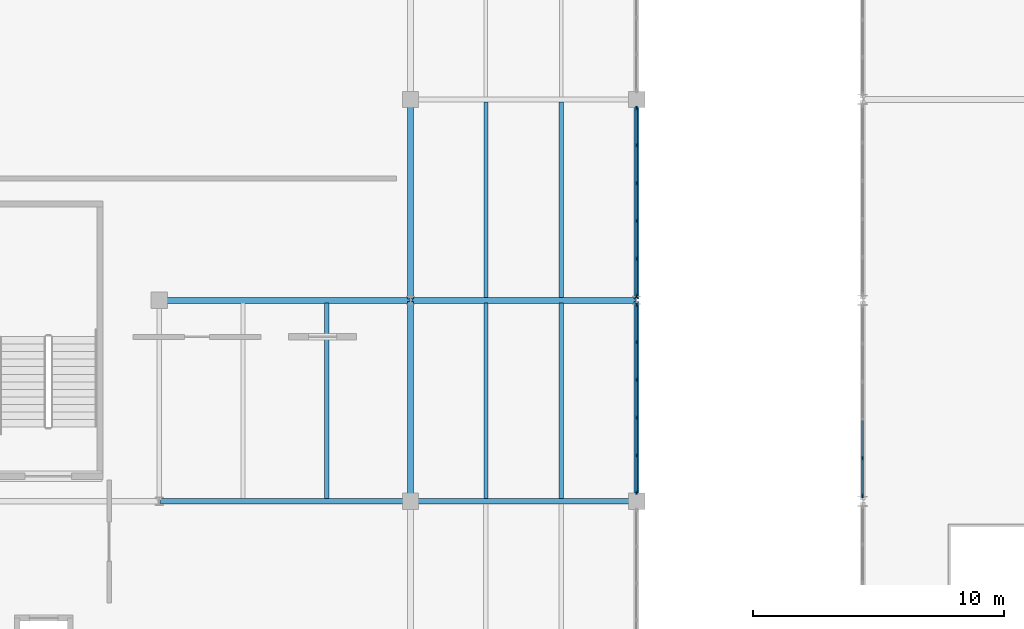
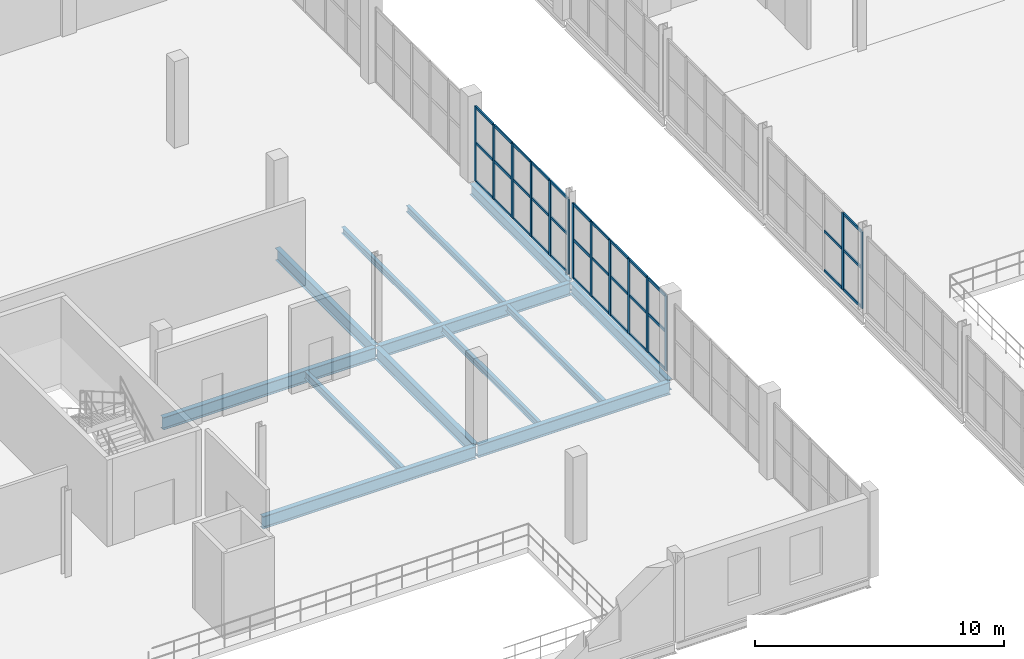
# One storey, part 20 of 85: 49 members, 13 beams, 3 elements without a shape of their own.
"""IFC4 building model written with IfcOpenShell, lengths in metres."""

from ifc_helpers import new_model, si_unit, direction, frame, origin, origin_2d, place, context, subcontext, project, spatial, rectangle, i_section, extrude, material, layer, layer_set, material_profile, profile_set, type_object, element, aggregate, save


model = new_model("IFC4")

# Units and contexts
model_context = context("Model", 3, precision=1e-05, world=origin(), true_north=direction((0.0, 1.0)))
body_context = subcontext(model_context, "Body", "Model", "MODEL_VIEW")
ifc_project = project(units=[si_unit("LENGTHUNIT", "METRE"), si_unit("AREAUNIT", "SQUARE_METRE"), si_unit("VOLUMEUNIT", "CUBIC_METRE"), si_unit("PLANEANGLEUNIT", "RADIAN"), si_unit("MASSUNIT", "GRAM", prefix="KILO")], contexts=[model_context])

# Site, building, storey
site_placement = place(None, origin())
site = spatial("IfcSite", under=ifc_project, at=site_placement, CompositionType="ELEMENT")
building_placement = place(site_placement, origin())
building = spatial("IfcBuilding", under=site, at=building_placement, Name="Marnock Terrace Opera House", CompositionType="ELEMENT")
storey_placement = place(building_placement, frame((0.0, 0.0, 10.199951171875)))
storey = spatial("IfcBuildingStorey", under=building, at=storey_placement, Name="L02", CompositionType="ELEMENT", Elevation=10.199951171875)

# Beams
ifc_material_1 = material(Name="Steel Grade 350 (AS/NZS 3679.1)", Category="steel")
ifc_material_profile_1 = material_profile(ifc_material_1, i_section(OverallWidth=0.208984375, OverallDepth=0.528076171875, WebThickness=0.009521484375, FlangeThickness=0.01318359375, FilletRadius=0.013916015625, at=origin_2d()))
ifc_profile_set_1 = profile_set([ifc_material_profile_1], Name="Steel Grade 350 (AS/NZS 3679.1)")
beam_type_1 = type_object("IfcBeamType", Name="BM-GIRD-530B", PredefinedType="BEAM", material=ifc_profile_set_1)
for number, where, z_axis, x_axis, name in (
    (1, (46.0, 24.050048828125, -0.52392578125), (0.0, 1.0, 0.0), (-1.0, 0.0, 0.0), "L02 girder (X=46.0, 24.0..32.0)"),
    (2, (46.0, 32.050048828125, -0.52392578125), (0.0, 1.0, 0.0), (-1.0, 0.0, 0.0), "L02 girder (X=46.0, 32.0..40.0)"),
):
    element("IfcBeam", number, at=place(storey_placement, frame(where, z_axis=z_axis, x_axis=x_axis)), inside=storey, type_object=beam_type_1, Name=name, PredefinedType="BEAM", context=body_context, shape_type="SweptSolid", body=[
        extrude(i_section(OverallWidth=0.208984375, OverallDepth=0.528076171875, WebThickness=0.009521484375, FlangeThickness=0.01318359375, FilletRadius=0.013916015625, at=origin_2d()), origin(), (0.0, 0.0, 1.0), 7.89990234375),
    ])
ifc_material_profile_2 = material_profile(ifc_material_1, i_section(OverallWidth=0.22900390625, OverallDepth=0.611572265625, WebThickness=0.011962890625, FlangeThickness=0.01953125, FilletRadius=0.013916015625, at=origin_2d()))
ifc_profile_set_2 = profile_set([ifc_material_profile_2], Name="Steel Grade 350 (AS/NZS 3679.1)")
beam_type_2 = type_object("IfcBeamType", Name="BM-GIRD-610A", PredefinedType="BEAM", material=ifc_profile_set_2)
beam_1_placement = place(storey_placement, frame((27.050048828125, 24.0, -0.565673828125), z_axis=(1.0, 0.0, 0.0), x_axis=(0.0, 1.0, 0.0)))
element("IfcBeam", 3, at=beam_1_placement, inside=storey, type_object=beam_type_2, Name="L02 girder (27.0..37.0, Y=24.0)", PredefinedType="BEAM", context=body_context, shape_type="SweptSolid", body=[
    extrude(i_section(OverallWidth=0.22900390625, OverallDepth=0.611572265625, WebThickness=0.011962890625, FlangeThickness=0.01953125, FilletRadius=0.013916015625, at=origin_2d()), origin(), (0.0, 0.0, 1.0), 9.89990234375),
])
beam_2_placement = place(storey_placement, frame((37.050048828125, 24.0, -0.565673828125), z_axis=(1.0, 0.0, 0.0), x_axis=(0.0, 1.0, 0.0)))
element("IfcBeam", 4, at=beam_2_placement, inside=storey, type_object=beam_type_2, Name="L02 girder (37.0..46.0, Y=24.0)", PredefinedType="BEAM", context=body_context, shape_type="SweptSolid", body=[
    extrude(i_section(OverallWidth=0.22900390625, OverallDepth=0.611572265625, WebThickness=0.011962890625, FlangeThickness=0.01953125, FilletRadius=0.013916015625, at=origin_2d()), origin(), (0.0, 0.0, 1.0), 8.89990234375),
])
ifc_material_profile_3 = material_profile(ifc_material_1, i_section(OverallWidth=0.22802734375, OverallDepth=0.60693359375, WebThickness=0.01123046875, FlangeThickness=0.017333984375, FilletRadius=0.013916015625, at=origin_2d()))
ifc_profile_set_3 = profile_set([ifc_material_profile_3], Name="Steel Grade 350 (AS/NZS 3679.1)")
beam_type_3 = type_object("IfcBeamType", Name="BM-GIRD-610B", PredefinedType="BEAM", material=ifc_profile_set_3)
beam_3_placement = place(storey_placement, frame((27.050048828125, 32.0, -0.5634765625), z_axis=(1.0, 0.0, 0.0), x_axis=(0.0, 1.0, 0.0)))
element("IfcBeam", 5, at=beam_3_placement, inside=storey, type_object=beam_type_3, Name="L02 girder (27.0..37.0, Y=32.0)", PredefinedType="BEAM", context=body_context, shape_type="SweptSolid", body=[
    extrude(i_section(OverallWidth=0.22802734375, OverallDepth=0.60693359375, WebThickness=0.01123046875, FlangeThickness=0.017333984375, FilletRadius=0.013916015625, at=origin_2d()), origin(), (0.0, 0.0, 1.0), 9.89990234375),
])
beam_4_placement = place(storey_placement, frame((37.050048828125, 32.0, -0.5634765625), z_axis=(1.0, 0.0, 0.0), x_axis=(0.0, 1.0, 0.0)))
element("IfcBeam", 6, at=beam_4_placement, inside=storey, type_object=beam_type_3, Name="L02 girder (37.0..46.0, Y=32.0)", PredefinedType="BEAM", context=body_context, shape_type="SweptSolid", body=[
    extrude(i_section(OverallWidth=0.22802734375, OverallDepth=0.60693359375, WebThickness=0.01123046875, FlangeThickness=0.017333984375, FilletRadius=0.013916015625, at=origin_2d()), origin(), (0.0, 0.0, 1.0), 8.89990234375),
])
ifc_material_profile_4 = material_profile(ifc_material_1, i_section(OverallWidth=0.22802734375, OverallDepth=0.60205078125, WebThickness=0.010498046875, FlangeThickness=0.014892578125, FilletRadius=0.013916015625, at=origin_2d()))
ifc_profile_set_4 = profile_set([ifc_material_profile_4], Name="Steel Grade 350 (AS/NZS 3679.1)")
beam_type_4 = type_object("IfcBeamType", Name="BM-GIRD-610C", PredefinedType="BEAM", material=ifc_profile_set_4)
for number, where, z_axis, x_axis, name in (
    (7, (37.0, 24.050048828125, -0.56103515625), (0.0, 1.0, 0.0), (-1.0, 0.0, 0.0), "L02 girder (X=37.0, 24.0..32.0)"),
    (8, (37.0, 32.050048828125, -0.56103515625), (0.0, 1.0, 0.0), (-1.0, 0.0, 0.0), "L02 girder (X=37.0, 32.0..40.0)"),
):
    element("IfcBeam", number, at=place(storey_placement, frame(where, z_axis=z_axis, x_axis=x_axis)), inside=storey, type_object=beam_type_4, Name=name, PredefinedType="BEAM", context=body_context, shape_type="SweptSolid", body=[
        extrude(i_section(OverallWidth=0.22802734375, OverallDepth=0.60205078125, WebThickness=0.010498046875, FlangeThickness=0.014892578125, FilletRadius=0.013916015625, at=origin_2d()), origin(), (0.0, 0.0, 1.0), 7.89990234375),
    ])
ifc_material_profile_5 = material_profile(ifc_material_1, i_section(OverallWidth=0.166015625, OverallDepth=0.30712890625, WebThickness=0.006591796875, FlangeThickness=0.01171875, FilletRadius=0.011474609375, at=origin_2d()))
ifc_profile_set_5 = profile_set([ifc_material_profile_5], Name="Steel Grade 350 (AS/NZS 3679.1)")
beam_type_5 = type_object("IfcBeamType", Name="BM-JOIST-310A", PredefinedType="JOIST", material=ifc_profile_set_5)
for number, where, z_axis, x_axis, name in (
    (9, (40.0, 24.109619140625, -0.41357421875), (0.0, 1.0, 0.0), (-1.0, 0.0, 0.0), "L02 secondary joist 4.3.1"),
    (10, (43.0, 24.109619140625, -0.41357421875), (0.0, 1.0, 0.0), (-1.0, 0.0, 0.0), "L02 secondary joist 4.3.2"),
):
    element("IfcBeam", number, at=place(storey_placement, frame(where, z_axis=z_axis, x_axis=x_axis)), inside=storey, type_object=beam_type_5, Name=name, PredefinedType="JOIST", context=body_context, shape_type="SweptSolid", body=[
        extrude(i_section(OverallWidth=0.166015625, OverallDepth=0.30712890625, WebThickness=0.006591796875, FlangeThickness=0.01171875, FilletRadius=0.011474609375, at=origin_2d()), origin(), (0.0, 0.0, 1.0), 7.781494140625),
    ])
ifc_material_profile_6 = material_profile(ifc_material_1, i_section(OverallWidth=0.1650390625, OverallDepth=0.3037109375, WebThickness=0.006103515625, FlangeThickness=0.01025390625, FilletRadius=0.011474609375, at=origin_2d()))
ifc_profile_set_6 = profile_set([ifc_material_profile_6], Name="Steel Grade 350 (AS/NZS 3679.1)")
beam_type_6 = type_object("IfcBeamType", Name="BM-JOIST-310B", PredefinedType="JOIST", material=ifc_profile_set_6)
for number, where, z_axis, x_axis, name in (
    (11, (40.0, 32.10888671875, -0.411865234375), (0.0, 1.0, 0.0), (-1.0, 0.0, 0.0), "L02 secondary joist 4.4.1"),
    (12, (43.0, 32.10888671875, -0.411865234375), (0.0, 1.0, 0.0), (-1.0, 0.0, 0.0), "L02 secondary joist 4.4.2"),
):
    element("IfcBeam", number, at=place(storey_placement, frame(where, z_axis=z_axis, x_axis=x_axis)), inside=storey, type_object=beam_type_6, Name=name, PredefinedType="JOIST", context=body_context, shape_type="SweptSolid", body=[
        extrude(i_section(OverallWidth=0.1650390625, OverallDepth=0.3037109375, WebThickness=0.006103515625, FlangeThickness=0.01025390625, FilletRadius=0.011474609375, at=origin_2d()), origin(), (0.0, 0.0, 1.0), 7.79150390625),
    ])
ifc_material_profile_7 = material_profile(ifc_material_1, i_section(OverallWidth=0.172119140625, OverallDepth=0.358642578125, WebThickness=0.008056640625, FlangeThickness=0.012939453125, FilletRadius=0.011474609375, at=origin_2d()))
ifc_profile_set_7 = profile_set([ifc_material_profile_7], Name="Steel Grade 350 (AS/NZS 3679.1)")
beam_type_7 = type_object("IfcBeamType", Name="BM-JOIST-360", PredefinedType="JOIST", material=ifc_profile_set_7)
beam_5_placement = place(storey_placement, frame((33.666748046875, 24.109619140625, -0.439208984375), z_axis=(0.0, 1.0, 0.0), x_axis=(-1.0, 0.0, 0.0)))
element("IfcBeam", 13, at=beam_5_placement, inside=storey, type_object=beam_type_7, Name="L02 secondary joist 3.3.2", PredefinedType="JOIST", context=body_context, shape_type="SweptSolid", body=[
    extrude(i_section(OverallWidth=0.172119140625, OverallDepth=0.358642578125, WebThickness=0.008056640625, FlangeThickness=0.012939453125, FilletRadius=0.011474609375, at=origin_2d()), origin(), (0.0, 0.0, 1.0), 7.781494140625),
])

# Curtain wall, members
ifc_material_2 = material(Name="Anodised architectural bronze aluminium framing", Category="aluminium")
ifc_layer_1 = layer(ifc_material_2, 0.159912109375)
ifc_layer_set_1 = layer_set([ifc_layer_1], Name="Anodised architectural bronze aluminium framing")
curtain_wall_type_1 = type_object("IfcCurtainWallType", Name="CW-FOYER-80x42", PredefinedType="NOTDEFINED", material=ifc_layer_set_1)
curtain_wall_1_placement = place(storey_placement, origin())
curtain_wall_1 = element("IfcCurtainWall", 14, at=curtain_wall_1_placement, inside=storey, type_object=curtain_wall_type_1, Name="L02 glazed Beaux-Arts colonnade curtain wall CW-V1W-L02-03", PredefinedType="NOTDEFINED")
ifc_material_profile_8 = material_profile(ifc_material_2, rectangle(XDim=0.06005859375, YDim=0.14990234375, at=origin_2d()))
ifc_profile_set_8 = profile_set([ifc_material_profile_8], Name="Anodised architectural bronze aluminium framing")
member_type_1 = type_object("IfcMemberType", Name="CWM-60x150", PredefinedType="MULLION", material=ifc_profile_set_8)
member_1_placement = place(storey_placement, frame((55.0, 24.22607421875, 0.0), z_axis=(0.0, 0.0, 1.0), x_axis=(-1.0, 0.0, 0.0)))
member_1 = element("IfcMember", 15, at=member_1_placement, type_object=member_type_1, Name="CW-62 mullion 1", PredefinedType="MULLION", context=body_context, shape_type="SweptSolid", body=[
    extrude(rectangle(XDim=0.06005859375, YDim=0.14990234375, at=origin_2d()), origin(), (0.0, 0.0, 1.0), 3.752685546875),
])
member_2_placement = place(storey_placement, frame((55.0, 25.717529296875, 0.0), z_axis=(0.0, 0.0, 1.0), x_axis=(-1.0, 0.0, 0.0)))
member_2 = element("IfcMember", 16, at=member_2_placement, type_object=member_type_1, Name="CW-62 mullion 2", PredefinedType="MULLION", context=body_context, shape_type="SweptSolid", body=[
    extrude(rectangle(XDim=0.06005859375, YDim=0.14990234375, at=origin_2d()), origin(), (0.0, 0.0, 1.0), 3.752685546875),
])

ifc_layer_2 = layer(ifc_material_2, 0.159912109375)
ifc_layer_set_2 = layer_set([ifc_layer_2], Name="Anodised architectural bronze aluminium framing")
curtain_wall_type_2 = type_object("IfcCurtainWallType", Name="CW-COURT-80x42", PredefinedType="NOTDEFINED", material=ifc_layer_set_2)
curtain_wall_2_placement = place(storey_placement, origin())
curtain_wall_2 = element("IfcCurtainWall", 17, at=curtain_wall_2_placement, inside=storey, type_object=curtain_wall_type_2, Name="L02 glazed Beaux-Arts colonnade curtain wall CW-V3E-L02-03", PredefinedType="NOTDEFINED")
member_3_placement = place(storey_placement, frame((46.0, 24.35107421875, 0.0), z_axis=(0.0, 0.0, 1.0), x_axis=(-1.0, 0.0, 0.0)))
member_3 = element("IfcMember", 18, at=member_3_placement, type_object=member_type_1, Name="CW-12 mullion 1", PredefinedType="MULLION", context=body_context, shape_type="SweptSolid", body=[
    extrude(rectangle(XDim=0.06005859375, YDim=0.14990234375, at=origin_2d()), origin(), (0.0, 0.0, 1.0), 3.68212890625),
])
member_4_placement = place(storey_placement, frame((46.0, 25.826171875, 0.0), z_axis=(0.0, 0.0, 1.0), x_axis=(-1.0, 0.0, 0.0)))
member_4 = element("IfcMember", 19, at=member_4_placement, type_object=member_type_1, Name="CW-12 mullion 2", PredefinedType="MULLION", context=body_context, shape_type="SweptSolid", body=[
    extrude(rectangle(XDim=0.06005859375, YDim=0.14990234375, at=origin_2d()), origin(), (0.0, 0.0, 1.0), 3.68212890625),
])
member_5_placement = place(storey_placement, frame((46.0, 27.331298828125, 0.0), z_axis=(0.0, 0.0, 1.0), x_axis=(-1.0, 0.0, 0.0)))
member_5 = element("IfcMember", 20, at=member_5_placement, type_object=member_type_1, Name="CW-12 mullion 3", PredefinedType="MULLION", context=body_context, shape_type="SweptSolid", body=[
    extrude(rectangle(XDim=0.06005859375, YDim=0.14990234375, at=origin_2d()), origin(), (0.0, 0.0, 1.0), 3.68212890625),
])
member_6_placement = place(storey_placement, frame((46.0, 28.83642578125, 0.0), z_axis=(0.0, 0.0, 1.0), x_axis=(-1.0, 0.0, 0.0)))
member_6 = element("IfcMember", 21, at=member_6_placement, type_object=member_type_1, Name="CW-12 mullion 4", PredefinedType="MULLION", context=body_context, shape_type="SweptSolid", body=[
    extrude(rectangle(XDim=0.06005859375, YDim=0.14990234375, at=origin_2d()), origin(), (0.0, 0.0, 1.0), 3.68212890625),
])
member_7_placement = place(storey_placement, frame((46.0, 30.341552734375, 0.0), z_axis=(0.0, 0.0, 1.0), x_axis=(-1.0, 0.0, 0.0)))
member_7 = element("IfcMember", 22, at=member_7_placement, type_object=member_type_1, Name="CW-12 mullion 5", PredefinedType="MULLION", context=body_context, shape_type="SweptSolid", body=[
    extrude(rectangle(XDim=0.06005859375, YDim=0.14990234375, at=origin_2d()), origin(), (0.0, 0.0, 1.0), 3.68212890625),
])
member_8_placement = place(storey_placement, frame((46.0, 31.816650390625, 0.0), z_axis=(0.0, 0.0, 1.0), x_axis=(-1.0, 0.0, 0.0)))
member_8 = element("IfcMember", 23, at=member_8_placement, type_object=member_type_1, Name="CW-12 mullion 6", PredefinedType="MULLION", context=body_context, shape_type="SweptSolid", body=[
    extrude(rectangle(XDim=0.06005859375, YDim=0.14990234375, at=origin_2d()), origin(), (0.0, 0.0, 1.0), 3.68212890625),
])

curtain_wall_3_placement = place(storey_placement, origin())
curtain_wall_3 = element("IfcCurtainWall", 24, at=curtain_wall_3_placement, inside=storey, type_object=curtain_wall_type_2, Name="L02 glazed Beaux-Arts colonnade curtain wall CW-V3E-L02-04", PredefinedType="NOTDEFINED")
member_9_placement = place(storey_placement, frame((46.0, 32.183349609375, 0.0), z_axis=(0.0, 0.0, 1.0), x_axis=(-1.0, 0.0, 0.0)))
member_9 = element("IfcMember", 25, at=member_9_placement, type_object=member_type_1, Name="CW-12 mullion 1", PredefinedType="MULLION", context=body_context, shape_type="SweptSolid", body=[
    extrude(rectangle(XDim=0.06005859375, YDim=0.14990234375, at=origin_2d()), origin(), (0.0, 0.0, 1.0), 3.68212890625),
])
member_10_placement = place(storey_placement, frame((46.0, 33.658447265625, 0.0), z_axis=(0.0, 0.0, 1.0), x_axis=(-1.0, 0.0, 0.0)))
member_10 = element("IfcMember", 26, at=member_10_placement, type_object=member_type_1, Name="CW-12 mullion 2", PredefinedType="MULLION", context=body_context, shape_type="SweptSolid", body=[
    extrude(rectangle(XDim=0.06005859375, YDim=0.14990234375, at=origin_2d()), origin(), (0.0, 0.0, 1.0), 3.68212890625),
])
member_11_placement = place(storey_placement, frame((46.0, 35.16357421875, 0.0), z_axis=(0.0, 0.0, 1.0), x_axis=(-1.0, 0.0, 0.0)))
member_11 = element("IfcMember", 27, at=member_11_placement, type_object=member_type_1, Name="CW-12 mullion 3", PredefinedType="MULLION", context=body_context, shape_type="SweptSolid", body=[
    extrude(rectangle(XDim=0.06005859375, YDim=0.14990234375, at=origin_2d()), origin(), (0.0, 0.0, 1.0), 3.68212890625),
])
member_12_placement = place(storey_placement, frame((46.0, 36.668701171875, 0.0), z_axis=(0.0, 0.0, 1.0), x_axis=(-1.0, 0.0, 0.0)))
member_12 = element("IfcMember", 28, at=member_12_placement, type_object=member_type_1, Name="CW-12 mullion 4", PredefinedType="MULLION", context=body_context, shape_type="SweptSolid", body=[
    extrude(rectangle(XDim=0.06005859375, YDim=0.14990234375, at=origin_2d()), origin(), (0.0, 0.0, 1.0), 3.68212890625),
])
member_13_placement = place(storey_placement, frame((46.0, 38.173828125, 0.0), z_axis=(0.0, 0.0, 1.0), x_axis=(-1.0, 0.0, 0.0)))
member_13 = element("IfcMember", 29, at=member_13_placement, type_object=member_type_1, Name="CW-12 mullion 5", PredefinedType="MULLION", context=body_context, shape_type="SweptSolid", body=[
    extrude(rectangle(XDim=0.06005859375, YDim=0.14990234375, at=origin_2d()), origin(), (0.0, 0.0, 1.0), 3.68212890625),
])
member_14_placement = place(storey_placement, frame((46.0, 39.64892578125, 0.0), z_axis=(0.0, 0.0, 1.0), x_axis=(-1.0, 0.0, 0.0)))
member_14 = element("IfcMember", 30, at=member_14_placement, type_object=member_type_1, Name="CW-12 mullion 6", PredefinedType="MULLION", context=body_context, shape_type="SweptSolid", body=[
    extrude(rectangle(XDim=0.06005859375, YDim=0.14990234375, at=origin_2d()), origin(), (0.0, 0.0, 1.0), 3.68212890625),
])

# Member
ifc_material_profile_9 = material_profile(ifc_material_2, rectangle(XDim=0.06005859375, YDim=0.1298828125, at=origin_2d()))
ifc_profile_set_9 = profile_set([ifc_material_profile_9], Name="Anodised architectural bronze aluminium framing")
member_type_2 = type_object("IfcMemberType", Name="CWT-60x130", PredefinedType="USERDEFINED", material=ifc_profile_set_9)
member_15_placement = place(storey_placement, frame((55.0, 24.256103515625, 0.030029296875), z_axis=(0.0, 1.0, 0.0), x_axis=(-1.0, 0.0, 0.0)))
member_15 = element("IfcMember", 31, at=member_15_placement, type_object=member_type_2, Name="CW-62 transom 1.1", ObjectType="TRANSOM", PredefinedType="USERDEFINED", context=body_context, shape_type="SweptSolid", body=[
    extrude(rectangle(XDim=0.06005859375, YDim=0.1298828125, at=origin_2d()), origin(), (0.0, 0.0, 1.0), 1.431396484375),
])

member_16_placement = place(storey_placement, frame((55.0, 24.256103515625, 1.951416015625), z_axis=(0.0, 1.0, 0.0), x_axis=(-1.0, 0.0, 0.0)))
member_16 = element("IfcMember", 32, at=member_16_placement, type_object=member_type_2, Name="CW-62 transom 1.2", ObjectType="TRANSOM", PredefinedType="USERDEFINED", context=body_context, shape_type="SweptSolid", body=[
    extrude(rectangle(XDim=0.06005859375, YDim=0.1298828125, at=origin_2d()), origin(), (0.0, 0.0, 1.0), 1.431396484375),
])

member_17_placement = place(storey_placement, frame((55.0, 24.256103515625, 3.72265625), z_axis=(0.0, 1.0, 0.0), x_axis=(-1.0, 0.0, 0.0)))
member_17 = element("IfcMember", 33, at=member_17_placement, type_object=member_type_2, Name="CW-62 transom 1.3", ObjectType="TRANSOM", PredefinedType="USERDEFINED", context=body_context, shape_type="SweptSolid", body=[
    extrude(rectangle(XDim=0.06005859375, YDim=0.1298828125, at=origin_2d()), origin(), (0.0, 0.0, 1.0), 1.431396484375),
])

member_18_placement = place(storey_placement, frame((55.0, 25.74755859375, 0.030029296875), z_axis=(0.0, 1.0, 0.0), x_axis=(-1.0, 0.0, 0.0)))
member_18 = element("IfcMember", 34, at=member_18_placement, type_object=member_type_2, Name="CW-62 transom 2.1", ObjectType="TRANSOM", PredefinedType="USERDEFINED", context=body_context, shape_type="SweptSolid", body=[
    extrude(rectangle(XDim=0.06005859375, YDim=0.1298828125, at=origin_2d()), origin(), (0.0, 0.0, 1.0), 1.461669921875),
])

member_19_placement = place(storey_placement, frame((55.0, 25.74755859375, 1.951416015625), z_axis=(0.0, 1.0, 0.0), x_axis=(-1.0, 0.0, 0.0)))
member_19 = element("IfcMember", 35, at=member_19_placement, type_object=member_type_2, Name="CW-62 transom 2.2", ObjectType="TRANSOM", PredefinedType="USERDEFINED", context=body_context, shape_type="SweptSolid", body=[
    extrude(rectangle(XDim=0.06005859375, YDim=0.1298828125, at=origin_2d()), origin(), (0.0, 0.0, 1.0), 1.461669921875),
])

aggregate(curtain_wall_1, [member_1, member_2, member_15, member_16, member_17, member_18, member_19])

member_20_placement = place(storey_placement, frame((46.0, 24.381103515625, 0.030029296875), z_axis=(0.0, 1.0, 0.0), x_axis=(-1.0, 0.0, 0.0)))
member_20 = element("IfcMember", 36, at=member_20_placement, type_object=member_type_2, Name="CW-12 transom 1.1", ObjectType="TRANSOM", PredefinedType="USERDEFINED", context=body_context, shape_type="SweptSolid", body=[
    extrude(rectangle(XDim=0.06005859375, YDim=0.1298828125, at=origin_2d()), origin(), (0.0, 0.0, 1.0), 1.4150390625),
])

member_21_placement = place(storey_placement, frame((46.0, 24.381103515625, 1.91455078125), z_axis=(0.0, 1.0, 0.0), x_axis=(-1.0, 0.0, 0.0)))
member_21 = element("IfcMember", 37, at=member_21_placement, type_object=member_type_2, Name="CW-12 transom 1.2", ObjectType="TRANSOM", PredefinedType="USERDEFINED", context=body_context, shape_type="SweptSolid", body=[
    extrude(rectangle(XDim=0.06005859375, YDim=0.1298828125, at=origin_2d()), origin(), (0.0, 0.0, 1.0), 1.4150390625),
])

member_22_placement = place(storey_placement, frame((46.0, 24.381103515625, 3.652099609375), z_axis=(0.0, 1.0, 0.0), x_axis=(-1.0, 0.0, 0.0)))
member_22 = element("IfcMember", 38, at=member_22_placement, type_object=member_type_2, Name="CW-12 transom 1.3", ObjectType="TRANSOM", PredefinedType="USERDEFINED", context=body_context, shape_type="SweptSolid", body=[
    extrude(rectangle(XDim=0.06005859375, YDim=0.1298828125, at=origin_2d()), origin(), (0.0, 0.0, 1.0), 1.4150390625),
])

member_23_placement = place(storey_placement, frame((46.0, 25.856201171875, 0.030029296875), z_axis=(0.0, 1.0, 0.0), x_axis=(-1.0, 0.0, 0.0)))
member_23 = element("IfcMember", 39, at=member_23_placement, type_object=member_type_2, Name="CW-12 transom 2.1", ObjectType="TRANSOM", PredefinedType="USERDEFINED", context=body_context, shape_type="SweptSolid", body=[
    extrude(rectangle(XDim=0.06005859375, YDim=0.1298828125, at=origin_2d()), origin(), (0.0, 0.0, 1.0), 1.445068359375),
])

member_24_placement = place(storey_placement, frame((46.0, 25.856201171875, 1.91455078125), z_axis=(0.0, 1.0, 0.0), x_axis=(-1.0, 0.0, 0.0)))
member_24 = element("IfcMember", 40, at=member_24_placement, type_object=member_type_2, Name="CW-12 transom 2.2", ObjectType="TRANSOM", PredefinedType="USERDEFINED", context=body_context, shape_type="SweptSolid", body=[
    extrude(rectangle(XDim=0.06005859375, YDim=0.1298828125, at=origin_2d()), origin(), (0.0, 0.0, 1.0), 1.445068359375),
])

member_25_placement = place(storey_placement, frame((46.0, 25.856201171875, 3.652099609375), z_axis=(0.0, 1.0, 0.0), x_axis=(-1.0, 0.0, 0.0)))
member_25 = element("IfcMember", 41, at=member_25_placement, type_object=member_type_2, Name="CW-12 transom 2.3", ObjectType="TRANSOM", PredefinedType="USERDEFINED", context=body_context, shape_type="SweptSolid", body=[
    extrude(rectangle(XDim=0.06005859375, YDim=0.1298828125, at=origin_2d()), origin(), (0.0, 0.0, 1.0), 1.445068359375),
])

member_26_placement = place(storey_placement, frame((46.0, 27.361328125, 0.030029296875), z_axis=(0.0, 1.0, 0.0), x_axis=(-1.0, 0.0, 0.0)))
member_26 = element("IfcMember", 42, at=member_26_placement, type_object=member_type_2, Name="CW-12 transom 3.1", ObjectType="TRANSOM", PredefinedType="USERDEFINED", context=body_context, shape_type="SweptSolid", body=[
    extrude(rectangle(XDim=0.06005859375, YDim=0.1298828125, at=origin_2d()), origin(), (0.0, 0.0, 1.0), 1.445068359375),
])

member_27_placement = place(storey_placement, frame((46.0, 27.361328125, 1.91455078125), z_axis=(0.0, 1.0, 0.0), x_axis=(-1.0, 0.0, 0.0)))
member_27 = element("IfcMember", 43, at=member_27_placement, type_object=member_type_2, Name="CW-12 transom 3.2", ObjectType="TRANSOM", PredefinedType="USERDEFINED", context=body_context, shape_type="SweptSolid", body=[
    extrude(rectangle(XDim=0.06005859375, YDim=0.1298828125, at=origin_2d()), origin(), (0.0, 0.0, 1.0), 1.445068359375),
])

member_28_placement = place(storey_placement, frame((46.0, 27.361328125, 3.652099609375), z_axis=(0.0, 1.0, 0.0), x_axis=(-1.0, 0.0, 0.0)))
member_28 = element("IfcMember", 44, at=member_28_placement, type_object=member_type_2, Name="CW-12 transom 3.3", ObjectType="TRANSOM", PredefinedType="USERDEFINED", context=body_context, shape_type="SweptSolid", body=[
    extrude(rectangle(XDim=0.06005859375, YDim=0.1298828125, at=origin_2d()), origin(), (0.0, 0.0, 1.0), 1.445068359375),
])

member_29_placement = place(storey_placement, frame((46.0, 28.866455078125, 0.030029296875), z_axis=(0.0, 1.0, 0.0), x_axis=(-1.0, 0.0, 0.0)))
member_29 = element("IfcMember", 45, at=member_29_placement, type_object=member_type_2, Name="CW-12 transom 4.1", ObjectType="TRANSOM", PredefinedType="USERDEFINED", context=body_context, shape_type="SweptSolid", body=[
    extrude(rectangle(XDim=0.06005859375, YDim=0.1298828125, at=origin_2d()), origin(), (0.0, 0.0, 1.0), 1.445068359375),
])

member_30_placement = place(storey_placement, frame((46.0, 28.866455078125, 1.91455078125), z_axis=(0.0, 1.0, 0.0), x_axis=(-1.0, 0.0, 0.0)))
member_30 = element("IfcMember", 46, at=member_30_placement, type_object=member_type_2, Name="CW-12 transom 4.2", ObjectType="TRANSOM", PredefinedType="USERDEFINED", context=body_context, shape_type="SweptSolid", body=[
    extrude(rectangle(XDim=0.06005859375, YDim=0.1298828125, at=origin_2d()), origin(), (0.0, 0.0, 1.0), 1.445068359375),
])

member_31_placement = place(storey_placement, frame((46.0, 28.866455078125, 3.652099609375), z_axis=(0.0, 1.0, 0.0), x_axis=(-1.0, 0.0, 0.0)))
member_31 = element("IfcMember", 47, at=member_31_placement, type_object=member_type_2, Name="CW-12 transom 4.3", ObjectType="TRANSOM", PredefinedType="USERDEFINED", context=body_context, shape_type="SweptSolid", body=[
    extrude(rectangle(XDim=0.06005859375, YDim=0.1298828125, at=origin_2d()), origin(), (0.0, 0.0, 1.0), 1.445068359375),
])

member_32_placement = place(storey_placement, frame((46.0, 30.37158203125, 0.030029296875), z_axis=(0.0, 1.0, 0.0), x_axis=(-1.0, 0.0, 0.0)))
member_32 = element("IfcMember", 48, at=member_32_placement, type_object=member_type_2, Name="CW-12 transom 5.1", ObjectType="TRANSOM", PredefinedType="USERDEFINED", context=body_context, shape_type="SweptSolid", body=[
    extrude(rectangle(XDim=0.06005859375, YDim=0.1298828125, at=origin_2d()), origin(), (0.0, 0.0, 1.0), 1.4150390625),
])

member_33_placement = place(storey_placement, frame((46.0, 30.37158203125, 1.91455078125), z_axis=(0.0, 1.0, 0.0), x_axis=(-1.0, 0.0, 0.0)))
member_33 = element("IfcMember", 49, at=member_33_placement, type_object=member_type_2, Name="CW-12 transom 5.2", ObjectType="TRANSOM", PredefinedType="USERDEFINED", context=body_context, shape_type="SweptSolid", body=[
    extrude(rectangle(XDim=0.06005859375, YDim=0.1298828125, at=origin_2d()), origin(), (0.0, 0.0, 1.0), 1.4150390625),
])

member_34_placement = place(storey_placement, frame((46.0, 30.37158203125, 3.652099609375), z_axis=(0.0, 1.0, 0.0), x_axis=(-1.0, 0.0, 0.0)))
member_34 = element("IfcMember", 50, at=member_34_placement, type_object=member_type_2, Name="CW-12 transom 5.3", ObjectType="TRANSOM", PredefinedType="USERDEFINED", context=body_context, shape_type="SweptSolid", body=[
    extrude(rectangle(XDim=0.06005859375, YDim=0.1298828125, at=origin_2d()), origin(), (0.0, 0.0, 1.0), 1.4150390625),
])

aggregate(curtain_wall_2, [member_3, member_4, member_5, member_6, member_7, member_8, member_20, member_21, member_22, member_23, member_24, member_25, member_26, member_27, member_28, member_29, member_30, member_31, member_32, member_33, member_34])

member_35_placement = place(storey_placement, frame((46.0, 32.21337890625, 0.030029296875), z_axis=(0.0, 1.0, 0.0), x_axis=(-1.0, 0.0, 0.0)))
member_35 = element("IfcMember", 51, at=member_35_placement, type_object=member_type_2, Name="CW-12 transom 1.1", ObjectType="TRANSOM", PredefinedType="USERDEFINED", context=body_context, shape_type="SweptSolid", body=[
    extrude(rectangle(XDim=0.06005859375, YDim=0.1298828125, at=origin_2d()), origin(), (0.0, 0.0, 1.0), 1.4150390625),
])

member_36_placement = place(storey_placement, frame((46.0, 32.21337890625, 1.91455078125), z_axis=(0.0, 1.0, 0.0), x_axis=(-1.0, 0.0, 0.0)))
member_36 = element("IfcMember", 52, at=member_36_placement, type_object=member_type_2, Name="CW-12 transom 1.2", ObjectType="TRANSOM", PredefinedType="USERDEFINED", context=body_context, shape_type="SweptSolid", body=[
    extrude(rectangle(XDim=0.06005859375, YDim=0.1298828125, at=origin_2d()), origin(), (0.0, 0.0, 1.0), 1.4150390625),
])

member_37_placement = place(storey_placement, frame((46.0, 32.21337890625, 3.652099609375), z_axis=(0.0, 1.0, 0.0), x_axis=(-1.0, 0.0, 0.0)))
member_37 = element("IfcMember", 53, at=member_37_placement, type_object=member_type_2, Name="CW-12 transom 1.3", ObjectType="TRANSOM", PredefinedType="USERDEFINED", context=body_context, shape_type="SweptSolid", body=[
    extrude(rectangle(XDim=0.06005859375, YDim=0.1298828125, at=origin_2d()), origin(), (0.0, 0.0, 1.0), 1.4150390625),
])

member_38_placement = place(storey_placement, frame((46.0, 33.6884765625, 0.030029296875), z_axis=(0.0, 1.0, 0.0), x_axis=(-1.0, 0.0, 0.0)))
member_38 = element("IfcMember", 54, at=member_38_placement, type_object=member_type_2, Name="CW-12 transom 2.1", ObjectType="TRANSOM", PredefinedType="USERDEFINED", context=body_context, shape_type="SweptSolid", body=[
    extrude(rectangle(XDim=0.06005859375, YDim=0.1298828125, at=origin_2d()), origin(), (0.0, 0.0, 1.0), 1.445068359375),
])

member_39_placement = place(storey_placement, frame((46.0, 33.6884765625, 1.91455078125), z_axis=(0.0, 1.0, 0.0), x_axis=(-1.0, 0.0, 0.0)))
member_39 = element("IfcMember", 55, at=member_39_placement, type_object=member_type_2, Name="CW-12 transom 2.2", ObjectType="TRANSOM", PredefinedType="USERDEFINED", context=body_context, shape_type="SweptSolid", body=[
    extrude(rectangle(XDim=0.06005859375, YDim=0.1298828125, at=origin_2d()), origin(), (0.0, 0.0, 1.0), 1.445068359375),
])

member_40_placement = place(storey_placement, frame((46.0, 33.6884765625, 3.652099609375), z_axis=(0.0, 1.0, 0.0), x_axis=(-1.0, 0.0, 0.0)))
member_40 = element("IfcMember", 56, at=member_40_placement, type_object=member_type_2, Name="CW-12 transom 2.3", ObjectType="TRANSOM", PredefinedType="USERDEFINED", context=body_context, shape_type="SweptSolid", body=[
    extrude(rectangle(XDim=0.06005859375, YDim=0.1298828125, at=origin_2d()), origin(), (0.0, 0.0, 1.0), 1.445068359375),
])

member_41_placement = place(storey_placement, frame((46.0, 35.193603515625, 0.030029296875), z_axis=(0.0, 1.0, 0.0), x_axis=(-1.0, 0.0, 0.0)))
member_41 = element("IfcMember", 57, at=member_41_placement, type_object=member_type_2, Name="CW-12 transom 3.1", ObjectType="TRANSOM", PredefinedType="USERDEFINED", context=body_context, shape_type="SweptSolid", body=[
    extrude(rectangle(XDim=0.06005859375, YDim=0.1298828125, at=origin_2d()), origin(), (0.0, 0.0, 1.0), 1.445068359375),
])

member_42_placement = place(storey_placement, frame((46.0, 35.193603515625, 1.91455078125), z_axis=(0.0, 1.0, 0.0), x_axis=(-1.0, 0.0, 0.0)))
member_42 = element("IfcMember", 58, at=member_42_placement, type_object=member_type_2, Name="CW-12 transom 3.2", ObjectType="TRANSOM", PredefinedType="USERDEFINED", context=body_context, shape_type="SweptSolid", body=[
    extrude(rectangle(XDim=0.06005859375, YDim=0.1298828125, at=origin_2d()), origin(), (0.0, 0.0, 1.0), 1.445068359375),
])

member_43_placement = place(storey_placement, frame((46.0, 35.193603515625, 3.652099609375), z_axis=(0.0, 1.0, 0.0), x_axis=(-1.0, 0.0, 0.0)))
member_43 = element("IfcMember", 59, at=member_43_placement, type_object=member_type_2, Name="CW-12 transom 3.3", ObjectType="TRANSOM", PredefinedType="USERDEFINED", context=body_context, shape_type="SweptSolid", body=[
    extrude(rectangle(XDim=0.06005859375, YDim=0.1298828125, at=origin_2d()), origin(), (0.0, 0.0, 1.0), 1.445068359375),
])

member_44_placement = place(storey_placement, frame((46.0, 36.69873046875, 0.030029296875), z_axis=(0.0, 1.0, 0.0), x_axis=(-1.0, 0.0, 0.0)))
member_44 = element("IfcMember", 60, at=member_44_placement, type_object=member_type_2, Name="CW-12 transom 4.1", ObjectType="TRANSOM", PredefinedType="USERDEFINED", context=body_context, shape_type="SweptSolid", body=[
    extrude(rectangle(XDim=0.06005859375, YDim=0.1298828125, at=origin_2d()), origin(), (0.0, 0.0, 1.0), 1.445068359375),
])

member_45_placement = place(storey_placement, frame((46.0, 36.69873046875, 1.91455078125), z_axis=(0.0, 1.0, 0.0), x_axis=(-1.0, 0.0, 0.0)))
member_45 = element("IfcMember", 61, at=member_45_placement, type_object=member_type_2, Name="CW-12 transom 4.2", ObjectType="TRANSOM", PredefinedType="USERDEFINED", context=body_context, shape_type="SweptSolid", body=[
    extrude(rectangle(XDim=0.06005859375, YDim=0.1298828125, at=origin_2d()), origin(), (0.0, 0.0, 1.0), 1.445068359375),
])

member_46_placement = place(storey_placement, frame((46.0, 36.69873046875, 3.652099609375), z_axis=(0.0, 1.0, 0.0), x_axis=(-1.0, 0.0, 0.0)))
member_46 = element("IfcMember", 62, at=member_46_placement, type_object=member_type_2, Name="CW-12 transom 4.3", ObjectType="TRANSOM", PredefinedType="USERDEFINED", context=body_context, shape_type="SweptSolid", body=[
    extrude(rectangle(XDim=0.06005859375, YDim=0.1298828125, at=origin_2d()), origin(), (0.0, 0.0, 1.0), 1.445068359375),
])

member_47_placement = place(storey_placement, frame((46.0, 38.203857421875, 0.030029296875), z_axis=(0.0, 1.0, 0.0), x_axis=(-1.0, 0.0, 0.0)))
member_47 = element("IfcMember", 63, at=member_47_placement, type_object=member_type_2, Name="CW-12 transom 5.1", ObjectType="TRANSOM", PredefinedType="USERDEFINED", context=body_context, shape_type="SweptSolid", body=[
    extrude(rectangle(XDim=0.06005859375, YDim=0.1298828125, at=origin_2d()), origin(), (0.0, 0.0, 1.0), 1.4150390625),
])

member_48_placement = place(storey_placement, frame((46.0, 38.203857421875, 1.91455078125), z_axis=(0.0, 1.0, 0.0), x_axis=(-1.0, 0.0, 0.0)))
member_48 = element("IfcMember", 64, at=member_48_placement, type_object=member_type_2, Name="CW-12 transom 5.2", ObjectType="TRANSOM", PredefinedType="USERDEFINED", context=body_context, shape_type="SweptSolid", body=[
    extrude(rectangle(XDim=0.06005859375, YDim=0.1298828125, at=origin_2d()), origin(), (0.0, 0.0, 1.0), 1.4150390625),
])

member_49_placement = place(storey_placement, frame((46.0, 38.203857421875, 3.652099609375), z_axis=(0.0, 1.0, 0.0), x_axis=(-1.0, 0.0, 0.0)))
member_49 = element("IfcMember", 65, at=member_49_placement, type_object=member_type_2, Name="CW-12 transom 5.3", ObjectType="TRANSOM", PredefinedType="USERDEFINED", context=body_context, shape_type="SweptSolid", body=[
    extrude(rectangle(XDim=0.06005859375, YDim=0.1298828125, at=origin_2d()), origin(), (0.0, 0.0, 1.0), 1.4150390625),
])

aggregate(curtain_wall_3, [member_9, member_10, member_11, member_12, member_13, member_14, member_35, member_36, member_37, member_38, member_39, member_40, member_41, member_42, member_43, member_44, member_45, member_46, member_47, member_48, member_49])

save(model, "model.ifc")
